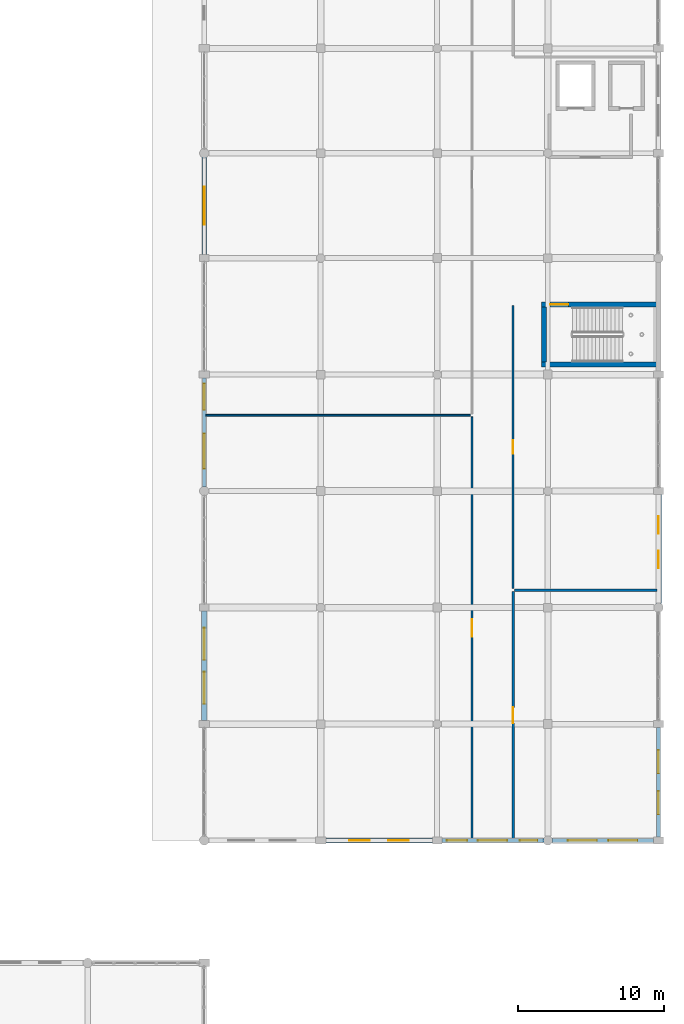
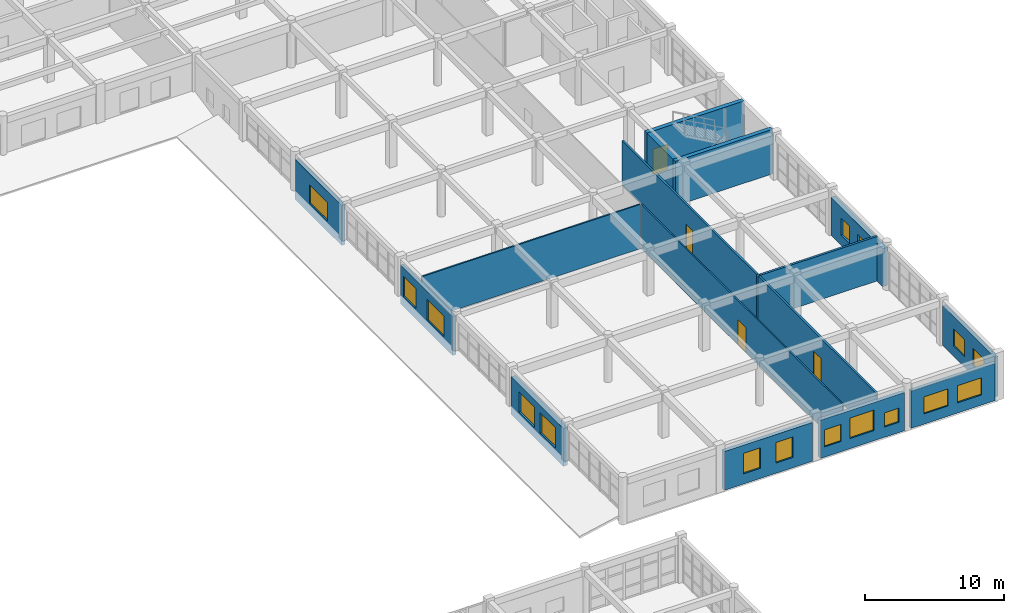
# One storey, part 110 of 121: 16 walls, 16 windows, 4 doors, 20 openings.
"""IFC4 building model written with IfcOpenShell, lengths in metres."""

from ifc_helpers import new_model, si_unit, direction, frame, frame_2d, origin, place, context, subcontext, project, spatial, rectangle, extrude, material, layer, layer_set, type_object, element, fill, save


model = new_model("IFC4")

# Units and contexts
model_context = context("Model", 3, precision=1e-05, world=origin(), true_north=direction((0.0, 1.0)))
body_context = subcontext(model_context, "Body", "Model", "MODEL_VIEW")
ifc_project = project(units=[si_unit("LENGTHUNIT", "METRE"), si_unit("AREAUNIT", "SQUARE_METRE"), si_unit("VOLUMEUNIT", "CUBIC_METRE"), si_unit("PLANEANGLEUNIT", "RADIAN"), si_unit("MASSUNIT", "GRAM", prefix="KILO")], contexts=[model_context])

# Site, building, storey
site_placement = place(None, origin())
site = spatial("IfcSite", under=ifc_project, at=site_placement, CompositionType="ELEMENT")
building_placement = place(site_placement, origin())
building = spatial("IfcBuilding", under=site, at=building_placement, Name="Kharva Crest Polytechnic", CompositionType="ELEMENT")
storey_placement = place(building_placement, frame((0.0, 0.0, 13.199951171875)))
storey = spatial("IfcBuildingStorey", under=building, at=storey_placement, Name="L03", CompositionType="ELEMENT", Elevation=13.199951171875)

# Wall
ifc_material_1 = material(Name="Concrete C40/50", Category="concrete")
ifc_layer_1 = layer(ifc_material_1, 0.35009765625, Name="Concrete C40/50")
ifc_layer_set_1 = layer_set([ifc_layer_1], Name="Concrete C40/50")
wall_type_1 = type_object("IfcWallType", Name="WL-CORE-CW1-350", PredefinedType="SHEAR", material=ifc_layer_set_1)
wall_1_placement = place(storey_placement, frame((175.949951171875, 71.4951171875, 0.0), z_axis=(0.0, 0.0, 1.0), x_axis=(1.0, 0.0, 0.0)))
element("IfcWall", 1, at=wall_1_placement, inside=storey, type_object=wall_type_1, Name="L03 East Crest Firefighting Core C5 South Shear Wall", PredefinedType="SHEAR", context=body_context, shape_type="SweptSolid", body=[
    extrude(rectangle(XDim=8.10009765625, YDim=0.35009765625, at=frame_2d((4.050048828125, 0.0))), origin(), (0.0, 0.0, 1.0), 3.920166015625),
])

# Wall, opening, door
wall_2_placement = place(storey_placement, frame((175.949951171875, 75.60498046875, 0.0), z_axis=(0.0, 0.0, 1.0), x_axis=(1.0, 0.0, 0.0)))
wall_2 = element("IfcWall", 2, at=wall_2_placement, inside=storey, type_object=wall_type_1, Name="L03 East Crest Firefighting Core C5 North Shear Wall", PredefinedType="SHEAR", context=body_context, shape_type="SweptSolid", body=[
    extrude(rectangle(XDim=8.10009765625, YDim=0.35009765625, at=frame_2d((4.050048828125, 0.0))), origin(), (0.0, 0.0, 1.0), 3.920166015625),
])
opening_1_placement = place(wall_2_placement, frame((0.60009765625, 0.0, 0.0)))
opening_1 = element("IfcOpeningElement", 3, at=opening_1_placement, cuts=wall_2, Name="Opening FD1B", PredefinedType="OPENING", context=body_context, shape_type="SweptSolid", body=[
    extrude(rectangle(XDim=1.25, YDim=2.199951171875, at=frame_2d((0.625, 1.10009765625))), frame((0.0, 0.18505859375, 0.0), z_axis=(0.0, -1.0, 0.0), x_axis=(1.0, 0.0, 0.0)), (0.0, 0.0, 1.0), 0.3701171875),
])
ifc_material_2 = material(Name="Teak timber", Category="wood")
door_type_1 = type_object("IfcDoorType", Name="DR-STAIR-1250X2200", OperationType="NOTDEFINED", PredefinedType="DOOR", material=ifc_material_2)
door_1_placement = place(opening_1_placement, origin())
door_1 = element("IfcDoor", 4, at=door_1_placement, inside=storey, type_object=door_type_1, Name="L03 ST-05 Stair Door", OperationType="SINGLE_SWING_LEFT", OverallHeight=2.199951171875, OverallWidth=1.25, PredefinedType="DOOR", context=body_context, shape_type="SweptSolid", body=[
    extrude(rectangle(XDim=1.25, YDim=2.199951171875, at=frame_2d((0.625, 1.10009765625))), frame((0.0, 0.02490234375, 0.0), z_axis=(0.0, -1.0, 0.0), x_axis=(1.0, 0.0, 0.0)), (0.0, 0.0, 1.0), 0.050048828125),
])
fill(opening_1, door_1)

# Wall
wall_3_placement = place(storey_placement, frame((176.125, 71.669921875, 0.0), z_axis=(0.0, 0.0, 1.0), x_axis=(0.0, 1.0, 0.0)))
element("IfcWall", 5, at=wall_3_placement, inside=storey, type_object=wall_type_1, Name="L03 East Crest Firefighting Core C5 West Shear Wall", PredefinedType="SHEAR", context=body_context, shape_type="SweptSolid", body=[
    extrude(rectangle(XDim=3.760009765625, YDim=0.35009765625, at=frame_2d((1.8798828125, 0.0))), origin(), (0.0, 0.0, 1.0), 3.920166015625),
])

# Wall, openings, windows
ifc_material_3 = material(Name="Kiln brick masonry", Category="masonry")
ifc_layer_2 = layer(ifc_material_3, 0.260009765625, Name="Kiln brick masonry")
ifc_layer_set_2 = layer_set([ifc_layer_2], Name="Kiln brick masonry")
wall_type_2 = type_object("IfcWallType", Name="WL-EXT-BRK-260", PredefinedType="SOLIDWALL", material=ifc_layer_set_2)
wall_4_placement = place(storey_placement, frame((152.800048828125, 70.554931640625, 0.0), z_axis=(0.0, 0.0, 1.0), x_axis=(0.0, -1.0, 0.0)))
wall_4 = element("IfcWall", 6, at=wall_4_placement, inside=storey, type_object=wall_type_2, Name="L03 Exterior Brick Wall 334", PredefinedType="SOLIDWALL", context=body_context, shape_type="SweptSolid", body=[
    extrude(rectangle(XDim=7.486083984375, YDim=0.260009765625, at=frame_2d((3.7431640625, 0.0))), origin(), (0.0, 0.0, 1.0), 3.43994140625),
])
opening_2_placement = place(wall_4_placement, frame((0.3720703125, 0.0, 0.89990234375)))
opening_2 = element("IfcOpeningElement", 7, at=opening_2_placement, cuts=wall_4, Name="Opening W05", PredefinedType="OPENING", context=body_context, shape_type="SweptSolid", body=[
    extrude(rectangle(XDim=1.800048828125, YDim=1.800048828125, at=frame_2d((0.89990234375, 0.89990234375))), frame((0.0, 0.139892578125, 0.0), z_axis=(0.0, -1.0, 0.0), x_axis=(1.0, 0.0, 0.0)), (0.0, 0.0, 1.0), 0.280029296875),
])
opening_3_placement = place(wall_4_placement, frame((3.81591796875, 0.0, 0.89990234375)))
opening_3 = element("IfcOpeningElement", 8, at=opening_3_placement, cuts=wall_4, Name="Opening W02", PredefinedType="OPENING", context=body_context, shape_type="SweptSolid", body=[
    extrude(rectangle(XDim=2.39990234375, YDim=1.800048828125, at=frame_2d((1.199951171875, 0.89990234375))), frame((0.0, 0.139892578125, 0.0), z_axis=(0.0, -1.0, 0.0), x_axis=(1.0, 0.0, 0.0)), (0.0, 0.0, 1.0), 0.280029296875),
])
ifc_material_4 = material(Name="Anodised aluminium", Category="aluminium")
window_type_1 = type_object("IfcWindowType", Name="WIN-ALU-1800X1800", PartitioningType="SINGLE_PANEL", PredefinedType="WINDOW", material=ifc_material_4)
window_1_placement = place(opening_2_placement, origin())
window_1 = element("IfcWindow", 9, at=window_1_placement, inside=storey, type_object=window_type_1, Name="L03 Exterior Window 453", OverallHeight=1.800048828125, OverallWidth=1.800048828125, PartitioningType="SINGLE_PANEL", PredefinedType="WINDOW", context=body_context, shape_type="SweptSolid", body=[
    extrude(rectangle(XDim=1.800048828125, YDim=1.800048828125, at=frame_2d((0.89990234375, 0.89990234375))), frame((0.0, 0.030029296875, 0.0), z_axis=(0.0, -1.0, 0.0), x_axis=(1.0, 0.0, 0.0)), (0.0, 0.0, 1.0), 0.06005859375),
])
fill(opening_2, window_1)
window_type_2 = type_object("IfcWindowType", Name="WIN-ALU-2400X1800", PartitioningType="SINGLE_PANEL", PredefinedType="WINDOW", material=ifc_material_4)
window_2_placement = place(opening_3_placement, origin())
window_2 = element("IfcWindow", 10, at=window_2_placement, inside=storey, type_object=window_type_2, Name="L03 Exterior Window 454", OverallHeight=1.800048828125, OverallWidth=2.39990234375, PartitioningType="SINGLE_PANEL", PredefinedType="WINDOW", context=body_context, shape_type="SweptSolid", body=[
    extrude(rectangle(XDim=2.39990234375, YDim=1.800048828125, at=frame_2d((1.199951171875, 0.89990234375))), frame((0.0, 0.030029296875, 0.0), z_axis=(0.0, -1.0, 0.0), x_axis=(1.0, 0.0, 0.0)), (0.0, 0.0, 1.0), 0.06005859375),
])
fill(opening_3, window_2)

ifc_layer_3 = layer(ifc_material_3, 0.27490234375, Name="Kiln brick masonry")
ifc_layer_set_3 = layer_set([ifc_layer_3], Name="Kiln brick masonry")
wall_type_3 = type_object("IfcWallType", Name="WL-EXT-BRK-275", PredefinedType="SOLIDWALL", material=ifc_layer_set_3)
wall_5_placement = place(storey_placement, frame((184.0, 39.044921875, 0.0), z_axis=(0.0, 0.0, 1.0), x_axis=(0.0, 1.0, 0.0)))
wall_5 = element("IfcWall", 11, at=wall_5_placement, inside=storey, type_object=wall_type_3, Name="L03 Exterior Brick Wall 340", PredefinedType="SOLIDWALL", context=body_context, shape_type="SweptSolid", body=[
    extrude(rectangle(XDim=7.510009765625, YDim=0.27490234375, at=frame_2d((3.7548828125, 0.0))), origin(), (0.0, 0.0, 1.0), 3.5),
])
opening_4_placement = place(wall_5_placement, frame((1.54296875, 0.0, 0.89990234375)))
opening_4 = element("IfcOpeningElement", 12, at=opening_4_placement, cuts=wall_5, Name="Opening W14", PredefinedType="OPENING", context=body_context, shape_type="SweptSolid", body=[
    extrude(rectangle(XDim=1.60009765625, YDim=1.5, at=frame_2d((0.800048828125, 0.75))), frame((0.0, 0.1474609375, 0.0), z_axis=(0.0, -1.0, 0.0), x_axis=(1.0, 0.0, 0.0)), (0.0, 0.0, 1.0), 0.294921875),
])
opening_5_placement = place(wall_5_placement, frame((4.366943359375, 0.0, 0.89990234375)))
opening_5 = element("IfcOpeningElement", 13, at=opening_5_placement, cuts=wall_5, Name="Opening W14", PredefinedType="OPENING", context=body_context, shape_type="SweptSolid", body=[
    extrude(rectangle(XDim=1.60009765625, YDim=1.5, at=frame_2d((0.800048828125, 0.75))), frame((0.0, 0.1474609375, 0.0), z_axis=(0.0, -1.0, 0.0), x_axis=(1.0, 0.0, 0.0)), (0.0, 0.0, 1.0), 0.294921875),
])
window_type_3 = type_object("IfcWindowType", Name="WIN-ALU-1600X1500", PartitioningType="SINGLE_PANEL", PredefinedType="WINDOW", material=ifc_material_4)
window_3_placement = place(opening_4_placement, origin())
window_3 = element("IfcWindow", 14, at=window_3_placement, inside=storey, type_object=window_type_3, Name="L03 Exterior Window 466", OverallHeight=1.5, OverallWidth=1.60009765625, PartitioningType="SINGLE_PANEL", PredefinedType="WINDOW", context=body_context, shape_type="SweptSolid", body=[
    extrude(rectangle(XDim=1.60009765625, YDim=1.5, at=frame_2d((0.800048828125, 0.75))), frame((0.0, 0.030029296875, 0.0), z_axis=(0.0, -1.0, 0.0), x_axis=(1.0, 0.0, 0.0)), (0.0, 0.0, 1.0), 0.06005859375),
])
fill(opening_4, window_3)
window_4_placement = place(opening_5_placement, origin())
window_4 = element("IfcWindow", 15, at=window_4_placement, inside=storey, type_object=window_type_3, Name="L03 Exterior Window 467", OverallHeight=1.5, OverallWidth=1.60009765625, PartitioningType="SINGLE_PANEL", PredefinedType="WINDOW", context=body_context, shape_type="SweptSolid", body=[
    extrude(rectangle(XDim=1.60009765625, YDim=1.5, at=frame_2d((0.800048828125, 0.75))), frame((0.0, 0.030029296875, 0.0), z_axis=(0.0, -1.0, 0.0), x_axis=(1.0, 0.0, 0.0)), (0.0, 0.0, 1.0), 0.06005859375),
])
fill(opening_5, window_4)

# Wall, opening, window
ifc_layer_4 = layer(ifc_material_3, 0.2900390625, Name="Kiln brick masonry")
ifc_layer_set_4 = layer_set([ifc_layer_4], Name="Kiln brick masonry")
wall_type_4 = type_object("IfcWallType", Name="WL-EXT-BRK-290", PredefinedType="SOLIDWALL", material=ifc_layer_set_4)
wall_6_placement = place(storey_placement, frame((152.800048828125, 85.731201171875, 0.0), z_axis=(0.0, 0.0, 1.0), x_axis=(0.0, -1.0, 0.0)))
wall_6 = element("IfcWall", 16, at=wall_6_placement, inside=storey, type_object=wall_type_4, Name="L03 Exterior Brick Wall 333", PredefinedType="SOLIDWALL", context=body_context, shape_type="SweptSolid", body=[
    extrude(rectangle(XDim=6.686279296875, YDim=0.2900390625, at=frame_2d((3.34326171875, 0.0))), origin(), (0.0, 0.0, 1.0), 3.52001953125),
])
opening_6_placement = place(wall_6_placement, frame((2.04296875, 0.0, 0.89990234375)))
opening_6 = element("IfcOpeningElement", 17, at=opening_6_placement, cuts=wall_6, Name="Opening W24", PredefinedType="OPENING", context=body_context, shape_type="SweptSolid", body=[
    extrude(rectangle(XDim=2.60009765625, YDim=1.64990234375, at=frame_2d((1.300048828125, 0.824951171875))), frame((0.0, 0.155029296875, 0.0), z_axis=(0.0, -1.0, 0.0), x_axis=(1.0, 0.0, 0.0)), (0.0, 0.0, 1.0), 0.31005859375),
])
window_type_4 = type_object("IfcWindowType", Name="WIN-ALU-2600X1650", PartitioningType="SINGLE_PANEL", PredefinedType="WINDOW", material=ifc_material_4)
window_5_placement = place(opening_6_placement, origin())
window_5 = element("IfcWindow", 18, at=window_5_placement, inside=storey, type_object=window_type_4, Name="L03 Exterior Window 452", OverallHeight=1.64990234375, OverallWidth=2.60009765625, PartitioningType="SINGLE_PANEL", PredefinedType="WINDOW", context=body_context, shape_type="SweptSolid", body=[
    extrude(rectangle(XDim=2.60009765625, YDim=1.64990234375, at=frame_2d((1.300048828125, 0.824951171875))), frame((0.0, 0.030029296875, 0.0), z_axis=(0.0, -1.0, 0.0), x_axis=(1.0, 0.0, 0.0)), (0.0, 0.0, 1.0), 0.06005859375),
])
fill(opening_6, window_5)

# Wall, openings, windows
wall_7_placement = place(storey_placement, frame((176.668701171875, 38.800048828125, 0.0), z_axis=(0.0, 0.0, 1.0), x_axis=(1.0, 0.0, 0.0)))
wall_7 = element("IfcWall", 19, at=wall_7_placement, inside=storey, type_object=wall_type_4, Name="L03 Exterior Brick Wall 339", PredefinedType="SOLIDWALL", context=body_context, shape_type="SweptSolid", body=[
    extrude(rectangle(XDim=6.986328125, YDim=0.2900390625, at=frame_2d((3.4931640625, 0.0))), origin(), (0.0, 0.0, 1.0), 3.280029296875),
])
opening_7_placement = place(wall_7_placement, frame((1.10205078125, 0.0, 0.89990234375)))
opening_7 = element("IfcOpeningElement", 20, at=opening_7_placement, cuts=wall_7, Name="Opening W12", PredefinedType="OPENING", context=body_context, shape_type="SweptSolid", body=[
    extrude(rectangle(XDim=2.0, YDim=1.5, at=frame_2d((1.0, 0.75))), frame((0.0, 0.155029296875, 0.0), z_axis=(0.0, -1.0, 0.0), x_axis=(1.0, 0.0, 0.0)), (0.0, 0.0, 1.0), 0.31005859375),
])
opening_8_placement = place(wall_7_placement, frame((3.884033203125, 0.0, 0.89990234375)))
opening_8 = element("IfcOpeningElement", 21, at=opening_8_placement, cuts=wall_7, Name="Opening W12", PredefinedType="OPENING", context=body_context, shape_type="SweptSolid", body=[
    extrude(rectangle(XDim=2.0, YDim=1.5, at=frame_2d((1.0, 0.75))), frame((0.0, 0.155029296875, 0.0), z_axis=(0.0, -1.0, 0.0), x_axis=(1.0, 0.0, 0.0)), (0.0, 0.0, 1.0), 0.31005859375),
])
window_type_5 = type_object("IfcWindowType", Name="WIN-ALU-2000X1500", PartitioningType="SINGLE_PANEL", PredefinedType="WINDOW", material=ifc_material_4)
window_6_placement = place(opening_7_placement, origin())
window_6 = element("IfcWindow", 22, at=window_6_placement, inside=storey, type_object=window_type_5, Name="L03 Exterior Window 464", OverallHeight=1.5, OverallWidth=2.0, PartitioningType="SINGLE_PANEL", PredefinedType="WINDOW", context=body_context, shape_type="SweptSolid", body=[
    extrude(rectangle(XDim=2.0, YDim=1.5, at=frame_2d((1.0, 0.75))), frame((0.0, 0.030029296875, 0.0), z_axis=(0.0, -1.0, 0.0), x_axis=(1.0, 0.0, 0.0)), (0.0, 0.0, 1.0), 0.06005859375),
])
fill(opening_7, window_6)
window_7_placement = place(opening_8_placement, origin())
window_7 = element("IfcWindow", 23, at=window_7_placement, inside=storey, type_object=window_type_5, Name="L03 Exterior Window 465", OverallHeight=1.5, OverallWidth=2.0, PartitioningType="SINGLE_PANEL", PredefinedType="WINDOW", context=body_context, shape_type="SweptSolid", body=[
    extrude(rectangle(XDim=2.0, YDim=1.5, at=frame_2d((1.0, 0.75))), frame((0.0, 0.030029296875, 0.0), z_axis=(0.0, -1.0, 0.0), x_axis=(1.0, 0.0, 0.0)), (0.0, 0.0, 1.0), 0.06005859375),
])
fill(opening_8, window_7)

ifc_layer_5 = layer(ifc_material_3, 0.304931640625, Name="Kiln brick masonry")
ifc_layer_set_5 = layer_set([ifc_layer_5], Name="Kiln brick masonry")
wall_type_5 = type_object("IfcWallType", Name="WL-EXT-BRK-305", PredefinedType="SOLIDWALL", material=ifc_layer_set_5)
wall_8_placement = place(storey_placement, frame((169.135009765625, 38.800048828125, 0.0), z_axis=(0.0, 0.0, 1.0), x_axis=(1.0, 0.0, 0.0)))
wall_8 = element("IfcWall", 24, at=wall_8_placement, inside=storey, type_object=wall_type_5, Name="L03 Exterior Brick Wall 338", PredefinedType="SOLIDWALL", context=body_context, shape_type="SweptSolid", body=[
    extrude(rectangle(XDim=6.99609375, YDim=0.304931640625, at=frame_2d((3.498046875, 0.0))), origin(), (0.0, 0.0, 1.0), 3.360107421875),
])
opening_9_placement = place(wall_8_placement, frame((0.327880859375, 0.0, 0.89990234375)))
opening_9 = element("IfcOpeningElement", 25, at=opening_9_placement, cuts=wall_8, Name="Opening W15", PredefinedType="OPENING", context=body_context, shape_type="SweptSolid", body=[
    extrude(rectangle(XDim=1.39990234375, YDim=1.5, at=frame_2d((0.699951171875, 0.75))), frame((0.0, 0.162353515625, 0.0), z_axis=(0.0, -1.0, 0.0), x_axis=(1.0, 0.0, 0.0)), (0.0, 0.0, 1.0), 0.324951171875),
])
opening_10_placement = place(wall_8_placement, frame((2.465087890625, 0.0, 0.89990234375)))
opening_10 = element("IfcOpeningElement", 26, at=opening_10_placement, cuts=wall_8, Name="Opening W04", PredefinedType="OPENING", context=body_context, shape_type="SweptSolid", body=[
    extrude(rectangle(XDim=2.0, YDim=1.800048828125, at=frame_2d((1.0, 0.89990234375))), frame((0.0, 0.162353515625, 0.0), z_axis=(0.0, -1.0, 0.0), x_axis=(1.0, 0.0, 0.0)), (0.0, 0.0, 1.0), 0.324951171875),
])
opening_11_placement = place(wall_8_placement, frame((5.3359375, 0.0, 0.89990234375)))
opening_11 = element("IfcOpeningElement", 27, at=opening_11_placement, cuts=wall_8, Name="Opening W21", PredefinedType="OPENING", context=body_context, shape_type="SweptSolid", body=[
    extrude(rectangle(XDim=1.199951171875, YDim=1.25, at=frame_2d((0.60009765625, 0.625))), frame((0.0, 0.162353515625, 0.0), z_axis=(0.0, -1.0, 0.0), x_axis=(1.0, 0.0, 0.0)), (0.0, 0.0, 1.0), 0.324951171875),
])
window_type_6 = type_object("IfcWindowType", Name="WIN-ALU-1200X1250", PartitioningType="SINGLE_PANEL", PredefinedType="WINDOW", material=ifc_material_4)
window_8_placement = place(opening_11_placement, origin())
window_8 = element("IfcWindow", 28, at=window_8_placement, inside=storey, type_object=window_type_6, Name="L03 Exterior Window 463", OverallHeight=1.25, OverallWidth=1.199951171875, PartitioningType="SINGLE_PANEL", PredefinedType="WINDOW", context=body_context, shape_type="SweptSolid", body=[
    extrude(rectangle(XDim=1.199951171875, YDim=1.25, at=frame_2d((0.60009765625, 0.625))), frame((0.0, 0.030029296875, 0.0), z_axis=(0.0, -1.0, 0.0), x_axis=(1.0, 0.0, 0.0)), (0.0, 0.0, 1.0), 0.06005859375),
])
fill(opening_11, window_8)
window_type_7 = type_object("IfcWindowType", Name="WIN-ALU-1400X1500", PartitioningType="SINGLE_PANEL", PredefinedType="WINDOW", material=ifc_material_4)
window_9_placement = place(opening_9_placement, origin())
window_9 = element("IfcWindow", 29, at=window_9_placement, inside=storey, type_object=window_type_7, Name="L03 Exterior Window 461", OverallHeight=1.5, OverallWidth=1.39990234375, PartitioningType="SINGLE_PANEL", PredefinedType="WINDOW", context=body_context, shape_type="SweptSolid", body=[
    extrude(rectangle(XDim=1.39990234375, YDim=1.5, at=frame_2d((0.699951171875, 0.75))), frame((0.0, 0.030029296875, 0.0), z_axis=(0.0, -1.0, 0.0), x_axis=(1.0, 0.0, 0.0)), (0.0, 0.0, 1.0), 0.06005859375),
])
fill(opening_9, window_9)
window_type_8 = type_object("IfcWindowType", Name="WIN-ALU-2000X1800", PartitioningType="SINGLE_PANEL", PredefinedType="WINDOW", material=ifc_material_4)
window_10_placement = place(opening_10_placement, origin())
window_10 = element("IfcWindow", 30, at=window_10_placement, inside=storey, type_object=window_type_8, Name="L03 Exterior Window 462", OverallHeight=1.800048828125, OverallWidth=2.0, PartitioningType="SINGLE_PANEL", PredefinedType="WINDOW", context=body_context, shape_type="SweptSolid", body=[
    extrude(rectangle(XDim=2.0, YDim=1.800048828125, at=frame_2d((1.0, 0.89990234375))), frame((0.0, 0.030029296875, 0.0), z_axis=(0.0, -1.0, 0.0), x_axis=(1.0, 0.0, 0.0)), (0.0, 0.0, 1.0), 0.06005859375),
])
fill(opening_10, window_10)

ifc_layer_6 = layer(ifc_material_3, 0.320068359375, Name="Kiln brick masonry")
ifc_layer_set_6 = layer_set([ifc_layer_6], Name="Kiln brick masonry")
wall_type_6 = type_object("IfcWallType", Name="WL-EXT-BRK-320", PredefinedType="SOLIDWALL", material=ifc_layer_set_6)
wall_9_placement = place(storey_placement, frame((161.14501953125, 38.800048828125, 0.0), z_axis=(0.0, 0.0, 1.0), x_axis=(1.0, 0.0, 0.0)))
wall_9 = element("IfcWall", 31, at=wall_9_placement, inside=storey, type_object=wall_type_6, Name="L03 Exterior Brick Wall 337", PredefinedType="SOLIDWALL", context=body_context, shape_type="SweptSolid", body=[
    extrude(rectangle(XDim=7.320068359375, YDim=0.320068359375, at=frame_2d((3.66015625, 0.0))), origin(), (0.0, 0.0, 1.0), 3.41015625),
])
opening_12_placement = place(wall_9_placement, frame((1.613037109375, 0.0, 0.89990234375)))
opening_12 = element("IfcOpeningElement", 32, at=opening_12_placement, cuts=wall_9, Name="Opening W07", PredefinedType="OPENING", context=body_context, shape_type="SweptSolid", body=[
    extrude(rectangle(XDim=1.39990234375, YDim=1.800048828125, at=frame_2d((0.699951171875, 0.89990234375))), frame((0.0, 0.169921875, 0.0), z_axis=(0.0, -1.0, 0.0), x_axis=(1.0, 0.0, 0.0)), (0.0, 0.0, 1.0), 0.340087890625),
])
opening_13_placement = place(wall_9_placement, frame((4.306884765625, 0.0, 0.89990234375)))
opening_13 = element("IfcOpeningElement", 33, at=opening_13_placement, cuts=wall_9, Name="Opening W07", PredefinedType="OPENING", context=body_context, shape_type="SweptSolid", body=[
    extrude(rectangle(XDim=1.39990234375, YDim=1.800048828125, at=frame_2d((0.699951171875, 0.89990234375))), frame((0.0, 0.169921875, 0.0), z_axis=(0.0, -1.0, 0.0), x_axis=(1.0, 0.0, 0.0)), (0.0, 0.0, 1.0), 0.340087890625),
])
window_type_9 = type_object("IfcWindowType", Name="WIN-ALU-1400X1800", PartitioningType="SINGLE_PANEL", PredefinedType="WINDOW", material=ifc_material_4)
window_11_placement = place(opening_12_placement, origin())
window_11 = element("IfcWindow", 34, at=window_11_placement, inside=storey, type_object=window_type_9, Name="L03 Exterior Window 459", OverallHeight=1.800048828125, OverallWidth=1.39990234375, PartitioningType="SINGLE_PANEL", PredefinedType="WINDOW", context=body_context, shape_type="SweptSolid", body=[
    extrude(rectangle(XDim=1.39990234375, YDim=1.800048828125, at=frame_2d((0.699951171875, 0.89990234375))), frame((0.0, 0.030029296875, 0.0), z_axis=(0.0, -1.0, 0.0), x_axis=(1.0, 0.0, 0.0)), (0.0, 0.0, 1.0), 0.06005859375),
])
fill(opening_12, window_11)
window_12_placement = place(opening_13_placement, origin())
window_12 = element("IfcWindow", 35, at=window_12_placement, inside=storey, type_object=window_type_9, Name="L03 Exterior Window 460", OverallHeight=1.800048828125, OverallWidth=1.39990234375, PartitioningType="SINGLE_PANEL", PredefinedType="WINDOW", context=body_context, shape_type="SweptSolid", body=[
    extrude(rectangle(XDim=1.39990234375, YDim=1.800048828125, at=frame_2d((0.699951171875, 0.89990234375))), frame((0.0, 0.030029296875, 0.0), z_axis=(0.0, -1.0, 0.0), x_axis=(1.0, 0.0, 0.0)), (0.0, 0.0, 1.0), 0.06005859375),
])
fill(opening_13, window_12)

ifc_layer_7 = layer(ifc_material_3, 0.364990234375, Name="Kiln brick masonry")
ifc_layer_set_7 = layer_set([ifc_layer_7], Name="Kiln brick masonry")
wall_type_7 = type_object("IfcWallType", Name="WL-EXT-BRK-365", PredefinedType="SOLIDWALL", material=ifc_layer_set_7)
wall_10_placement = place(storey_placement, frame((152.800048828125, 54.554931640625, 0.0), z_axis=(0.0, 0.0, 1.0), x_axis=(0.0, -1.0, 0.0)))
wall_10 = element("IfcWall", 36, at=wall_10_placement, inside=storey, type_object=wall_type_7, Name="L03 Exterior Brick Wall 335", PredefinedType="SOLIDWALL", context=body_context, shape_type="SweptSolid", body=[
    extrude(rectangle(XDim=7.510009765625, YDim=0.364990234375, at=frame_2d((3.7548828125, 0.0))), origin(), (0.0, 0.0, 1.0), 3.340087890625),
])
opening_14_placement = place(wall_10_placement, frame((1.14306640625, 0.0, 0.89990234375)))
opening_14 = element("IfcOpeningElement", 37, at=opening_14_placement, cuts=wall_10, Name="Opening W03", PredefinedType="OPENING", context=body_context, shape_type="SweptSolid", body=[
    extrude(rectangle(XDim=2.199951171875, YDim=1.800048828125, at=frame_2d((1.10009765625, 0.89990234375))), frame((0.0, 0.1923828125, 0.0), z_axis=(0.0, -1.0, 0.0), x_axis=(1.0, 0.0, 0.0)), (0.0, 0.0, 1.0), 0.385009765625),
])
opening_15_placement = place(wall_10_placement, frame((4.1669921875, 0.0, 0.89990234375)))
opening_15 = element("IfcOpeningElement", 38, at=opening_15_placement, cuts=wall_10, Name="Opening W03", PredefinedType="OPENING", context=body_context, shape_type="SweptSolid", body=[
    extrude(rectangle(XDim=2.199951171875, YDim=1.800048828125, at=frame_2d((1.10009765625, 0.89990234375))), frame((0.0, 0.1923828125, 0.0), z_axis=(0.0, -1.0, 0.0), x_axis=(1.0, 0.0, 0.0)), (0.0, 0.0, 1.0), 0.385009765625),
])
window_type_10 = type_object("IfcWindowType", Name="WIN-ALU-2200X1800", PartitioningType="SINGLE_PANEL", PredefinedType="WINDOW", material=ifc_material_4)
window_13_placement = place(opening_14_placement, origin())
window_13 = element("IfcWindow", 39, at=window_13_placement, inside=storey, type_object=window_type_10, Name="L03 Exterior Window 455", OverallHeight=1.800048828125, OverallWidth=2.199951171875, PartitioningType="SINGLE_PANEL", PredefinedType="WINDOW", context=body_context, shape_type="SweptSolid", body=[
    extrude(rectangle(XDim=2.199951171875, YDim=1.800048828125, at=frame_2d((1.10009765625, 0.89990234375))), frame((0.0, 0.030029296875, 0.0), z_axis=(0.0, -1.0, 0.0), x_axis=(1.0, 0.0, 0.0)), (0.0, 0.0, 1.0), 0.06005859375),
])
fill(opening_14, window_13)
window_14_placement = place(opening_15_placement, origin())
window_14 = element("IfcWindow", 40, at=window_14_placement, inside=storey, type_object=window_type_10, Name="L03 Exterior Window 456", OverallHeight=1.800048828125, OverallWidth=2.199951171875, PartitioningType="SINGLE_PANEL", PredefinedType="WINDOW", context=body_context, shape_type="SweptSolid", body=[
    extrude(rectangle(XDim=2.199951171875, YDim=1.800048828125, at=frame_2d((1.10009765625, 0.89990234375))), frame((0.0, 0.030029296875, 0.0), z_axis=(0.0, -1.0, 0.0), x_axis=(1.0, 0.0, 0.0)), (0.0, 0.0, 1.0), 0.06005859375),
])
fill(opening_15, window_14)

ifc_layer_8 = layer(ifc_material_3, 0.3798828125, Name="Kiln brick masonry")
ifc_layer_set_8 = layer_set([ifc_layer_8], Name="Kiln brick masonry")
wall_type_8 = type_object("IfcWallType", Name="WL-EXT-BRK-380", PredefinedType="SOLIDWALL", material=ifc_layer_set_8)
wall_11_placement = place(storey_placement, frame((184.0, 55.06884765625, 0.0), z_axis=(0.0, 0.0, 1.0), x_axis=(0.0, 1.0, 0.0)))
wall_11 = element("IfcWall", 41, at=wall_11_placement, inside=storey, type_object=wall_type_8, Name="L03 Exterior Brick Wall 341", PredefinedType="SOLIDWALL", context=body_context, shape_type="SweptSolid", body=[
    extrude(rectangle(XDim=7.486083984375, YDim=0.3798828125, at=frame_2d((3.7431640625, 0.0))), origin(), (0.0, 0.0, 1.0), 3.340087890625),
])
opening_16_placement = place(wall_11_placement, frame((2.423095703125, 0.0, 0.89990234375)))
opening_16 = element("IfcOpeningElement", 42, at=opening_16_placement, cuts=wall_11, Name="Opening W16", PredefinedType="OPENING", context=body_context, shape_type="SweptSolid", body=[
    extrude(rectangle(XDim=1.199951171875, YDim=1.5, at=frame_2d((0.60009765625, 0.75))), frame((0.0, 0.199951171875, 0.0), z_axis=(0.0, -1.0, 0.0), x_axis=(1.0, 0.0, 0.0)), (0.0, 0.0, 1.0), 0.39990234375),
])
opening_17_placement = place(wall_11_placement, frame((4.7939453125, 0.0, 0.89990234375)))
opening_17 = element("IfcOpeningElement", 43, at=opening_17_placement, cuts=wall_11, Name="Opening W16", PredefinedType="OPENING", context=body_context, shape_type="SweptSolid", body=[
    extrude(rectangle(XDim=1.199951171875, YDim=1.5, at=frame_2d((0.60009765625, 0.75))), frame((0.0, 0.199951171875, 0.0), z_axis=(0.0, -1.0, 0.0), x_axis=(1.0, 0.0, 0.0)), (0.0, 0.0, 1.0), 0.39990234375),
])
window_type_11 = type_object("IfcWindowType", Name="WIN-ALU-1200X1500", PartitioningType="SINGLE_PANEL", PredefinedType="WINDOW", material=ifc_material_4)
window_15_placement = place(opening_16_placement, origin())
window_15 = element("IfcWindow", 44, at=window_15_placement, inside=storey, type_object=window_type_11, Name="L03 Exterior Window 468", OverallHeight=1.5, OverallWidth=1.199951171875, PartitioningType="SINGLE_PANEL", PredefinedType="WINDOW", context=body_context, shape_type="SweptSolid", body=[
    extrude(rectangle(XDim=1.199951171875, YDim=1.5, at=frame_2d((0.60009765625, 0.75))), frame((0.0, 0.030029296875, 0.0), z_axis=(0.0, -1.0, 0.0), x_axis=(1.0, 0.0, 0.0)), (0.0, 0.0, 1.0), 0.06005859375),
])
fill(opening_16, window_15)
window_16_placement = place(opening_17_placement, origin())
window_16 = element("IfcWindow", 45, at=window_16_placement, inside=storey, type_object=window_type_11, Name="L03 Exterior Window 469", OverallHeight=1.5, OverallWidth=1.199951171875, PartitioningType="SINGLE_PANEL", PredefinedType="WINDOW", context=body_context, shape_type="SweptSolid", body=[
    extrude(rectangle(XDim=1.199951171875, YDim=1.5, at=frame_2d((0.60009765625, 0.75))), frame((0.0, 0.030029296875, 0.0), z_axis=(0.0, -1.0, 0.0), x_axis=(1.0, 0.0, 0.0)), (0.0, 0.0, 1.0), 0.06005859375),
])
fill(opening_17, window_16)

# Wall, opening, door
ifc_layer_9 = layer(ifc_material_3, 0.110107421875, Name="Kiln brick masonry")
ifc_layer_set_9 = layer_set([ifc_layer_9], Name="Kiln brick masonry")
wall_type_9 = type_object("IfcWallType", Name="WL-PART-110", PredefinedType="PARTITIONING", material=ifc_layer_set_9)
wall_12_placement = place(storey_placement, frame((171.18994140625, 38.909912109375, 0.0), z_axis=(0.0, 0.0, 1.0), x_axis=(0.0, 1.0, 0.0)))
wall_12 = element("IfcWall", 46, at=wall_12_placement, inside=storey, type_object=wall_type_9, Name="L03 Interior Partition 327", PredefinedType="PARTITIONING", context=body_context, shape_type="SweptSolid", body=[
    extrude(rectangle(XDim=28.97998046875, YDim=0.110107421875, at=frame_2d((14.489990234375, 0.0))), origin(), (0.0, 0.0, 1.0), 3.900146484375),
])
opening_18_placement = place(wall_12_placement, frame((13.89990234375, 0.0, 0.0)))
opening_18 = element("IfcOpeningElement", 47, at=opening_18_placement, cuts=wall_12, Name="Opening ID8", PredefinedType="OPENING", context=body_context, shape_type="SweptSolid", body=[
    extrude(rectangle(XDim=1.179931640625, YDim=2.199951171875, at=frame_2d((0.58984375, 1.10009765625))), frame((0.0, 0.06494140625, 0.0), z_axis=(0.0, -1.0, 0.0), x_axis=(1.0, 0.0, 0.0)), (0.0, 0.0, 1.0), 0.130126953125),
])
door_type_2 = type_object("IfcDoorType", Name="DR-STD-1180X2200", OperationType="NOTDEFINED", PredefinedType="DOOR", material=ifc_material_2)
door_2_placement = place(opening_18_placement, origin())
door_2 = element("IfcDoor", 48, at=door_2_placement, inside=storey, type_object=door_type_2, Name="L03 Architectural Design Studio L03-E1 Door", OperationType="SINGLE_SWING_RIGHT", OverallHeight=2.199951171875, OverallWidth=1.179931640625, PredefinedType="DOOR", context=body_context, shape_type="SweptSolid", body=[
    extrude(rectangle(XDim=1.179931640625, YDim=2.199951171875, at=frame_2d((0.58984375, 1.10009765625))), frame((0.0, 0.02490234375, 0.0), z_axis=(0.0, -1.0, 0.0), x_axis=(1.0, 0.0, 0.0)), (0.0, 0.0, 1.0), 0.050048828125),
])
fill(opening_18, door_2)

# Wall
ifc_layer_10 = layer(ifc_material_3, 0.1201171875, Name="Kiln brick masonry")
ifc_layer_set_10 = layer_set([ifc_layer_10], Name="Kiln brick masonry")
wall_type_10 = type_object("IfcWallType", Name="WL-PART-120", PredefinedType="PARTITIONING", material=ifc_layer_set_10)
wall_13_placement = place(storey_placement, frame((152.909912109375, 68.0, 0.0), z_axis=(0.0, 0.0, 1.0), x_axis=(1.0, 0.0, 0.0)))
element("IfcWall", 49, at=wall_13_placement, inside=storey, type_object=wall_type_10, Name="L03 Interior Partition 326", PredefinedType="PARTITIONING", context=body_context, shape_type="SweptSolid", body=[
    extrude(rectangle(XDim=18.170166015625, YDim=0.1201171875, at=frame_2d((9.0849609375, 0.0))), origin(), (0.0, 0.0, 1.0), 3.900146484375),
])

# Wall, opening, door
ifc_layer_11 = layer(ifc_material_3, 0.159912109375, Name="Kiln brick masonry")
ifc_layer_set_11 = layer_set([ifc_layer_11], Name="Kiln brick masonry")
wall_type_11 = type_object("IfcWallType", Name="WL-PART-160", PredefinedType="PARTITIONING", material=ifc_layer_set_11)
wall_14_placement = place(storey_placement, frame((174.010009765625, 56.1201171875, 0.0), z_axis=(0.0, 0.0, 1.0), x_axis=(0.0, 1.0, 0.0)))
wall_14 = element("IfcWall", 50, at=wall_14_placement, inside=storey, type_object=wall_type_11, Name="L03 Interior Partition 332", PredefinedType="PARTITIONING", context=body_context, shape_type="SweptSolid", body=[
    extrude(rectangle(XDim=19.409912109375, YDim=0.159912109375, at=frame_2d((9.705078125, 0.0))), origin(), (0.0, 0.0, 1.0), 3.900146484375),
])
opening_19_placement = place(wall_14_placement, frame((9.22509765625, 0.0, 0.0)))
opening_19 = element("IfcOpeningElement", 51, at=opening_19_placement, cuts=wall_14, Name="Opening ID13", PredefinedType="OPENING", context=body_context, shape_type="SweptSolid", body=[
    extrude(rectangle(XDim=0.9599609375, YDim=2.14990234375, at=frame_2d((0.47998046875, 1.074951171875))), frame((0.0, 0.08984375, 0.0), z_axis=(0.0, -1.0, 0.0), x_axis=(1.0, 0.0, 0.0)), (0.0, 0.0, 1.0), 0.179931640625),
])
door_type_3 = type_object("IfcDoorType", Name="DR-OFF-960X2150", OperationType="NOTDEFINED", PredefinedType="DOOR", material=ifc_material_2)
door_3_placement = place(opening_19_placement, origin())
door_3 = element("IfcDoor", 52, at=door_3_placement, inside=storey, type_object=door_type_3, Name="L03 Faculty Office Suite L03 Door", OperationType="SINGLE_SWING_LEFT", OverallHeight=2.14990234375, OverallWidth=0.9599609375, PredefinedType="DOOR", context=body_context, shape_type="SweptSolid", body=[
    extrude(rectangle(XDim=0.9599609375, YDim=2.14990234375, at=frame_2d((0.47998046875, 1.074951171875))), frame((0.0, 0.02490234375, 0.0), z_axis=(0.0, -1.0, 0.0), x_axis=(1.0, 0.0, 0.0)), (0.0, 0.0, 1.0), 0.050048828125),
])
fill(opening_19, door_3)

ifc_layer_12 = layer(ifc_material_3, 0.169921875, Name="Kiln brick masonry")
ifc_layer_set_12 = layer_set([ifc_layer_12], Name="Kiln brick masonry")
wall_type_12 = type_object("IfcWallType", Name="WL-PART-170", PredefinedType="PARTITIONING", material=ifc_layer_set_12)
wall_15_placement = place(storey_placement, frame((174.010009765625, 38.909912109375, 0.0), z_axis=(0.0, 0.0, 1.0), x_axis=(0.0, 1.0, 0.0)))
wall_15 = element("IfcWall", 53, at=wall_15_placement, inside=storey, type_object=wall_type_12, Name="L03 Interior Partition 331", PredefinedType="PARTITIONING", context=body_context, shape_type="SweptSolid", body=[
    extrude(rectangle(XDim=16.97998046875, YDim=0.169921875, at=frame_2d((8.489990234375, 0.0))), origin(), (0.0, 0.0, 1.0), 3.900146484375),
])
opening_20_placement = place(wall_15_placement, frame((7.949951171875, 0.0, 0.0)))
opening_20 = element("IfcOpeningElement", 54, at=opening_20_placement, cuts=wall_15, Name="Opening ID10", PredefinedType="OPENING", context=body_context, shape_type="SweptSolid", body=[
    extrude(rectangle(XDim=1.080078125, YDim=2.14990234375, at=frame_2d((0.5400390625, 1.074951171875))), frame((0.0, 0.094970703125, 0.0), z_axis=(0.0, -1.0, 0.0), x_axis=(1.0, 0.0, 0.0)), (0.0, 0.0, 1.0), 0.18994140625),
])
door_type_4 = type_object("IfcDoorType", Name="DR-CLS-1080X2150", OperationType="NOTDEFINED", PredefinedType="DOOR", material=ifc_material_2)
door_4_placement = place(opening_20_placement, origin())
door_4 = element("IfcDoor", 55, at=door_4_placement, inside=storey, type_object=door_type_4, Name="L03 Critique Seminar Room L03-E Door", OperationType="SINGLE_SWING_RIGHT", OverallHeight=2.14990234375, OverallWidth=1.080078125, PredefinedType="DOOR", context=body_context, shape_type="SweptSolid", body=[
    extrude(rectangle(XDim=1.080078125, YDim=2.14990234375, at=frame_2d((0.5400390625, 1.074951171875))), frame((0.0, 0.02490234375, 0.0), z_axis=(0.0, -1.0, 0.0), x_axis=(1.0, 0.0, 0.0)), (0.0, 0.0, 1.0), 0.050048828125),
])
fill(opening_20, door_4)

# Wall
ifc_layer_13 = layer(ifc_material_3, 0.179931640625, Name="Kiln brick masonry")
ifc_layer_set_13 = layer_set([ifc_layer_13], Name="Kiln brick masonry")
wall_type_13 = type_object("IfcWallType", Name="WL-PART-180", PredefinedType="PARTITIONING", material=ifc_layer_set_13)
wall_16_placement = place(storey_placement, frame((174.1201171875, 56.0, 0.0), z_axis=(0.0, 0.0, 1.0), x_axis=(1.0, 0.0, 0.0)))
element("IfcWall", 56, at=wall_16_placement, inside=storey, type_object=wall_type_13, Name="L03 Interior Partition 330", PredefinedType="PARTITIONING", context=body_context, shape_type="SweptSolid", body=[
    extrude(rectangle(XDim=9.769775390625, YDim=0.179931640625, at=frame_2d((4.884765625, 0.0))), origin(), (0.0, 0.0, 1.0), 3.900146484375),
])

save(model, "model.ifc")
